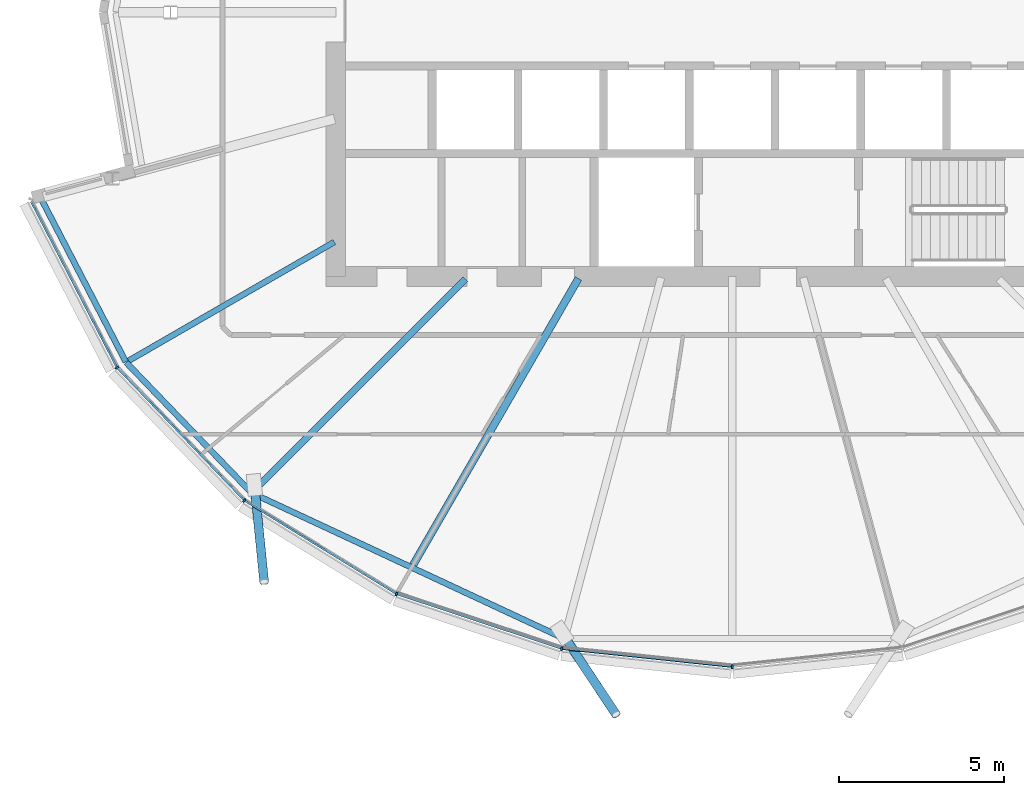
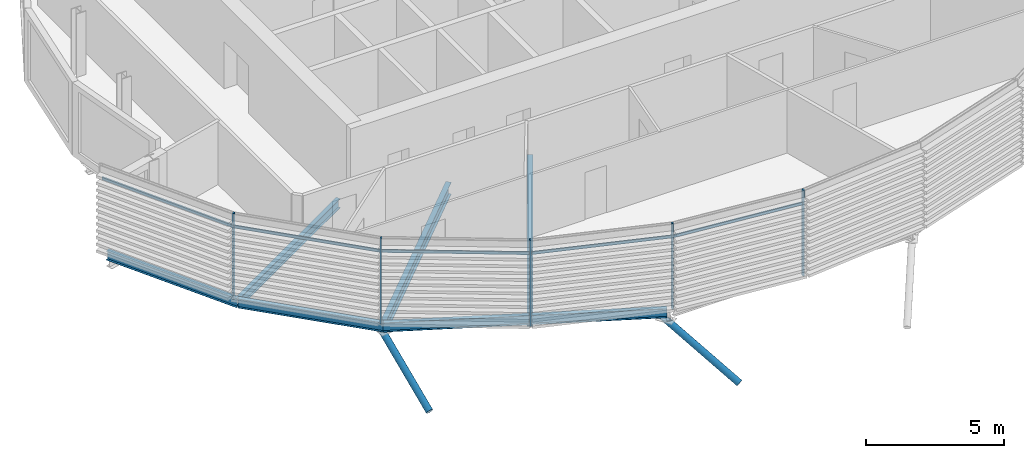
# One storey, part 3 of 37: 12 members, 6 beams, 1 element without a shape of its own.
"""IFC4 building model written with IfcOpenShell, lengths in metres."""

from ifc_helpers import new_model, si_unit, direction, frame, origin, origin_2d, place, context, subcontext, project, spatial, rectangle, hollow_circle, i_section, extrude, clip, halfspace, material, material_profile, profile_set, type_object, element, aggregate, save


model = new_model("IFC4")

# Units and contexts
model_context = context("Model", 3, precision=1e-05, world=origin(), true_north=direction((0.0, 1.0)))
body_context = subcontext(model_context, "Body", "Model", "MODEL_VIEW")
ifc_project = project(units=[si_unit("LENGTHUNIT", "METRE"), si_unit("AREAUNIT", "SQUARE_METRE"), si_unit("VOLUMEUNIT", "CUBIC_METRE"), si_unit("PLANEANGLEUNIT", "RADIAN"), si_unit("MASSUNIT", "GRAM", prefix="KILO")], contexts=[model_context])

# Site, building, storey
site_placement = place(None, origin())
site = spatial("IfcSite", under=ifc_project, at=site_placement, CompositionType="ELEMENT")
building_placement = place(site_placement, origin())
building = spatial("IfcBuilding", under=site, at=building_placement, Name="Rimbun Link Towers", CompositionType="ELEMENT")
storey_placement = place(building_placement, frame((0.0, 0.0, 177.89990234375)))
storey = spatial("IfcBuildingStorey", under=building, at=storey_placement, Name="L43", CompositionType="ELEMENT", Elevation=177.89990234375)

# Curtain wall, members
ifc_material_1 = material(Name="Aluminium 6063-T6 and low-iron glass", Category="aluminium")
curtain_wall_type = type_object("IfcCurtainWallType", Name="CW1-Z3 unitised vision wall (zone 3)", PredefinedType="NOTDEFINED", material=ifc_material_1)
curtain_wall_placement = place(storey_placement, origin())
curtain_wall = element("IfcCurtainWall", 1, at=curtain_wall_placement, inside=storey, type_object=curtain_wall_type, Name="CW1 L43 T1", PredefinedType="NOTDEFINED")
ifc_material_2 = material(Name="Aluminium 6063-T6", Category="aluminium")
ifc_material_profile_1 = material_profile(ifc_material_2, rectangle(XDim=0.1201171875, YDim=0.06005859375, at=origin_2d()), Name="MULLION 60X120")
ifc_profile_set_1 = profile_set([ifc_material_profile_1], Name="Aluminium 6063-T6")
member_type_1 = type_object("IfcMemberType", Name="CW1 mullion 60X120", PredefinedType="MULLION", material=ifc_profile_set_1)
member_1_placement = place(storey_placement, frame((-50.372314453125, -10.75830078125, 0.0), z_axis=(0.0, 0.0, 1.0), x_axis=(-0.813350034024, -0.581774631754, 0.0)))
member_1 = element("IfcMember", 2, at=member_1_placement, type_object=member_type_1, Name="CW1 mullion", PredefinedType="MULLION", context=body_context, shape_type="SweptSolid", body=[
    extrude(rectangle(XDim=0.1201171875, YDim=0.06005859375, at=origin_2d()), origin(), (0.0, 0.0, 1.0), 3.800048828125),
])
member_2_placement = place(storey_placement, frame((-46.51904296875, -14.778076171875, 0.0), z_axis=(0.0, 0.0, 1.0), x_axis=(-0.627671105002, -0.778478634225, 0.0)))
member_2 = element("IfcMember", 3, at=member_2_placement, type_object=member_type_1, Name="CW1 mullion", PredefinedType="MULLION", context=body_context, shape_type="SweptSolid", body=[
    extrude(rectangle(XDim=0.1201171875, YDim=0.06005859375, at=origin_2d()), origin(), (0.0, 0.0, 1.0), 3.800048828125),
])
member_3_placement = place(storey_placement, frame((-41.909912109375, -17.60791015625, 0.0), z_axis=(0.0, 0.0, 1.0), x_axis=(-0.421696857655, -0.906736874867, 0.0)))
member_3 = element("IfcMember", 4, at=member_3_placement, type_object=member_type_1, Name="CW1 mullion", PredefinedType="MULLION", context=body_context, shape_type="SweptSolid", body=[
    extrude(rectangle(XDim=0.1201171875, YDim=0.06005859375, at=origin_2d()), origin(), (0.0, 0.0, 1.0), 3.800048828125),
])
member_4_placement = place(storey_placement, frame((-36.908935546875, -19.26513671875, 0.0), z_axis=(0.0, 0.0, 1.0), x_axis=(-0.21086664913, -0.977514836862, 0.0)))
member_4 = element("IfcMember", 5, at=member_4_placement, type_object=member_type_1, Name="CW1 mullion", PredefinedType="MULLION", context=body_context, shape_type="SweptSolid", body=[
    extrude(rectangle(XDim=0.1201171875, YDim=0.06005859375, at=origin_2d()), origin(), (0.0, 0.0, 1.0), 3.800048828125),
])
member_5_placement = place(storey_placement, frame((-31.75, -19.80859375, 0.0), z_axis=(0.0, 0.0, 1.0), x_axis=(0.0, -1.0, 0.0)))
member_5 = element("IfcMember", 6, at=member_5_placement, type_object=member_type_1, Name="CW1 mullion", PredefinedType="MULLION", context=body_context, shape_type="SweptSolid", body=[
    extrude(rectangle(XDim=0.1201171875, YDim=0.06005859375, at=origin_2d()), origin(), (0.0, 0.0, 1.0), 3.800048828125),
])
ifc_material_3 = material(Name="Aluminium 6063-T6", Category="aluminium")
ifc_material_profile_2 = material_profile(ifc_material_3, rectangle(XDim=0.06005859375, YDim=0.1201171875, at=origin_2d()), Name="TRANSOM 60X120")
ifc_profile_set_2 = profile_set([ifc_material_profile_2], Name="Aluminium 6063-T6")
member_type_2 = type_object("IfcMemberType", Name="CW1 transom 60X120", PredefinedType="USERDEFINED", material=ifc_profile_set_2)
member_6_placement = place(storey_placement, frame((-50.388916015625, -10.723388671875, 3.2001953125), z_axis=(-0.459571750769, 0.888140645335, 0.0), x_axis=(-0.888140645335, -0.459571750769, 0.0)))
member_6 = element("IfcMember", 7, at=member_6_placement, type_object=member_type_2, Name="CW1 transom", ObjectType="TRANSOM", PredefinedType="USERDEFINED", context=body_context, shape_type="SweptSolid", body=[
    extrude(rectangle(XDim=0.06005859375, YDim=0.1201171875, at=origin_2d()), origin(), (0.0, 0.0, 1.0), 5.62255859375),
])
member_7_placement = place(storey_placement, frame((-46.5439453125, -14.749755859375, 3.2001953125), z_axis=(-0.692057899001, 0.721841994089, 0.0), x_axis=(-0.721841994089, -0.692057899001, 0.0)))
member_7 = element("IfcMember", 8, at=member_7_placement, type_object=member_type_2, Name="CW1 transom", ObjectType="TRANSOM", PredefinedType="USERDEFINED", context=body_context, shape_type="SweptSolid", body=[
    extrude(rectangle(XDim=0.06005859375, YDim=0.1201171875, at=origin_2d()), origin(), (0.0, 0.0, 1.0), 5.491943359375),
])
member_8_placement = place(storey_placement, frame((-41.9404296875, -17.58740234375, 3.2001953125), z_axis=(-0.852185905649, 0.523239125269, 0.0), x_axis=(-0.523239125269, -0.852185905649, 0.0)))
member_8 = element("IfcMember", 9, at=member_8_placement, type_object=member_type_2, Name="CW1 transom", ObjectType="TRANSOM", PredefinedType="USERDEFINED", context=body_context, shape_type="SweptSolid", body=[
    extrude(rectangle(XDim=0.06005859375, YDim=0.1201171875, at=origin_2d()), origin(), (0.0, 0.0, 1.0), 5.334228515625),
])
member_9_placement = place(storey_placement, frame((-36.943115234375, -19.252197265625, 3.2001953125), z_axis=(-0.949241076182, 0.314549486231, 0.0), x_axis=(-0.314549486231, -0.949241076182, 0.0)))
member_9 = element("IfcMember", 10, at=member_9_placement, type_object=member_type_2, Name="CW1 transom", ObjectType="TRANSOM", PredefinedType="USERDEFINED", context=body_context, shape_type="SweptSolid", body=[
    extrude(rectangle(XDim=0.06005859375, YDim=0.1201171875, at=origin_2d()), origin(), (0.0, 0.0, 1.0), 5.19482421875),
])
member_10_placement = place(storey_placement, frame((-31.785888671875, -19.80322265625, 3.2001953125), z_axis=(-0.994496295036, 0.104771747905, 0.0), x_axis=(-0.104771747905, -0.994496295036, 0.0)))
member_10 = element("IfcMember", 11, at=member_10_placement, type_object=member_type_2, Name="CW1 transom", ObjectType="TRANSOM", PredefinedType="USERDEFINED", context=body_context, shape_type="SweptSolid", body=[
    extrude(rectangle(XDim=0.06005859375, YDim=0.1201171875, at=origin_2d()), origin(), (0.0, 0.0, 1.0), 5.11474609375),
])
aggregate(curtain_wall, [member_1, member_2, member_3, member_4, member_5, member_6, member_7, member_8, member_9, member_10])

# Members
ifc_material_4 = material(Name="Steel S355J2H", Category="steel")
ifc_material_profile_3 = material_profile(ifc_material_4, hollow_circle(Radius=0.136474609375, WallThickness=0.012451171875, at=origin_2d()), Name="CHS 273x12.5")
ifc_profile_set_3 = profile_set([ifc_material_profile_3], Name="Steel S355J2H")
member_type_3 = type_object("IfcMemberType", Name="Floor edge link CHS 273x12.5", PredefinedType="BRACE", material=ifc_profile_set_3)
member_11_placement = place(storey_placement, frame((-46.20068359375, -14.45068359375, -0.797607421875), z_axis=(0.084488875433, -0.835000211249, -0.543724449645), x_axis=(0.994919848927, 0.100670225048, 0.0)))
element("IfcMember", 12, at=member_11_placement, inside=storey, type_object=member_type_3, Name="Floor edge link T1 L43 15", PredefinedType="BRACE", context=body_context, shape_type="Clipping", body=[
    clip(extrude(hollow_circle(Radius=0.136474609375, WallThickness=0.012451171875, at=origin_2d()), frame((0.0, 0.0, -0.439697265625)), (0.0, 0.0, 1.0), 3.797607421875), halfspace(frame((0.0, 0.0, -0.20703125), z_axis=(0.0, 0.839263798134, -0.543724449645)), False)),
])
member_12_placement = place(storey_placement, frame((-36.81787109375, -18.913818359375, -0.867919921875), z_axis=(0.466176368743, -0.704006566256, -0.535774530837), x_axis=(0.833774286505, 0.552105460183, 0.0)))
element("IfcMember", 13, at=member_12_placement, inside=storey, type_object=member_type_3, Name="Floor edge link T1 L43 17", PredefinedType="BRACE", context=body_context, shape_type="Clipping", body=[
    clip(extrude(hollow_circle(Radius=0.136474609375, WallThickness=0.012451171875, at=origin_2d()), frame((0.0, 0.0, -0.44873046875)), (0.0, 0.0, 1.0), 3.79541015625), halfspace(frame((0.0, 0.0, -0.211669921875), z_axis=(0.0, 0.844361091066, -0.535774530837)), False)),
])

# Beams
ifc_material_5 = material(Name="Steel S355J2", Category="steel")
ifc_material_profile_4 = material_profile(ifc_material_5, i_section(OverallWidth=0.177978515625, OverallDepth=0.406494140625, WebThickness=0.0078125, FlangeThickness=0.0126953125, at=origin_2d()), Name="UB 406x178x60")
ifc_profile_set_4 = profile_set([ifc_material_profile_4], Name="Steel S355J2")
beam_type_1 = type_object("IfcBeamType", Name="UB 406x178x60", PredefinedType="BEAM", material=ifc_profile_set_4)
beam_1_placement = place(storey_placement, frame((-43.79541015625, -6.954345703125, -0.35302734375), z_axis=(-0.86602387423, -0.500002649256, 0.0), x_axis=(0.500002649256, -0.86602387423, 0.0)))
element("IfcBeam", 14, at=beam_1_placement, inside=storey, type_object=beam_type_1, Name="Radial beam T1 L43 14", PredefinedType="BEAM", context=body_context, shape_type="SweptSolid", body=[
    extrude(i_section(OverallWidth=0.177978515625, OverallDepth=0.406494140625, WebThickness=0.0078125, FlangeThickness=0.0126953125, at=origin_2d()), origin(), (0.0, 0.0, 1.0), 7.1904296875),
])
beam_2_placement = place(storey_placement, frame((-52.6875, -5.611083984375, -0.35302734375), z_axis=(0.460674637591, -0.887569083666, 0.0), x_axis=(0.887569083666, 0.460674637591, 0.0)))
element("IfcBeam", 15, at=beam_2_placement, inside=storey, type_object=beam_type_1, Name="Edge beam T1 L43 13", PredefinedType="BEAM", context=body_context, shape_type="SweptSolid", body=[
    extrude(i_section(OverallWidth=0.177978515625, OverallDepth=0.406494140625, WebThickness=0.0078125, FlangeThickness=0.0126953125, at=origin_2d()), origin(), (0.0, 0.0, 1.0), 5.60107421875),
])
beam_3_placement = place(storey_placement, frame((-50.091064453125, -10.604736328125, -0.35302734375), z_axis=(0.692954402741, -0.720981411495, 0.0), x_axis=(0.720981411495, 0.692954402741, 0.0)))
element("IfcBeam", 16, at=beam_3_placement, inside=storey, type_object=beam_type_1, Name="Edge beam T1 L43 14", PredefinedType="BEAM", context=body_context, shape_type="SweptSolid", body=[
    extrude(i_section(OverallWidth=0.177978515625, OverallDepth=0.406494140625, WebThickness=0.0078125, FlangeThickness=0.0126953125, at=origin_2d()), origin(), (0.0, 0.0, 1.0), 5.470458984375),
])
beam_4_placement = place(storey_placement, frame((-46.298583984375, -14.550048828125, -0.35302734375), z_axis=(0.906411873075, -0.422394976709, 0.0), x_axis=(0.422394976709, 0.906411873075, 0.0)))
element("IfcBeam", 17, at=beam_4_placement, inside=storey, type_object=beam_type_1, Name="Edge beam T1 L43 15-17", PredefinedType="BEAM", context=body_context, shape_type="SweptSolid", body=[
    extrude(i_section(OverallWidth=0.177978515625, OverallDepth=0.406494140625, WebThickness=0.0078125, FlangeThickness=0.0126953125, at=origin_2d()), origin(), (0.0, 0.0, 1.0), 10.32861328125),
])
ifc_material_6 = material(Name="Steel S355J2", Category="steel")
ifc_material_profile_5 = material_profile(ifc_material_6, i_section(OverallWidth=0.209228515625, OverallDepth=0.533203125, WebThickness=0.010009765625, FlangeThickness=0.015625, at=origin_2d()), Name="UB 533x210x92")
ifc_profile_set_5 = profile_set([ifc_material_profile_5], Name="Steel S355J2")
beam_type_2 = type_object("IfcBeamType", Name="UB 533x210x92", PredefinedType="BEAM", material=ifc_profile_set_5)
beam_5_placement = place(storey_placement, frame((-39.82470703125, -8.07470703125, -0.41650390625), z_axis=(-0.707106781187, -0.707106781187, 0.0), x_axis=(0.707106781187, -0.707106781187, 0.0)))
element("IfcBeam", 18, at=beam_5_placement, inside=storey, type_object=beam_type_2, Name="Radial beam T1 L43 15", PredefinedType="BEAM", context=body_context, shape_type="SweptSolid", body=[
    extrude(i_section(OverallWidth=0.209228515625, OverallDepth=0.533203125, WebThickness=0.010009765625, FlangeThickness=0.015625, at=origin_2d()), origin(), (0.0, 0.0, 1.0), 9.066650390625),
])
ifc_material_7 = material(Name="Steel S355J2", Category="steel")
ifc_material_profile_6 = material_profile(ifc_material_7, i_section(OverallWidth=0.2275390625, OverallDepth=0.6025390625, WebThickness=0.010498046875, FlangeThickness=0.014892578125, at=origin_2d()), Name="UB 610x229x101")
ifc_profile_set_6 = profile_set([ifc_material_profile_6], Name="Steel S355J2")
beam_type_3 = type_object("IfcBeamType", Name="UB 610x229x101", PredefinedType="BEAM", material=ifc_profile_set_6)
beam_6_placement = place(storey_placement, frame((-36.402099609375, -8.057861328125, -0.451171875), z_axis=(-0.500001751638, -0.866024392473, 0.0), x_axis=(0.866024392473, -0.500001751638, 0.0)))
element("IfcBeam", 19, at=beam_6_placement, inside=storey, type_object=beam_type_3, Name="Radial beam T1 L43 16", PredefinedType="BEAM", context=body_context, shape_type="SweptSolid", body=[
    extrude(i_section(OverallWidth=0.2275390625, OverallDepth=0.6025390625, WebThickness=0.010498046875, FlangeThickness=0.014892578125, at=origin_2d()), origin(), (0.0, 0.0, 1.0), 10.01318359375),
])

save(model, "model.ifc")
